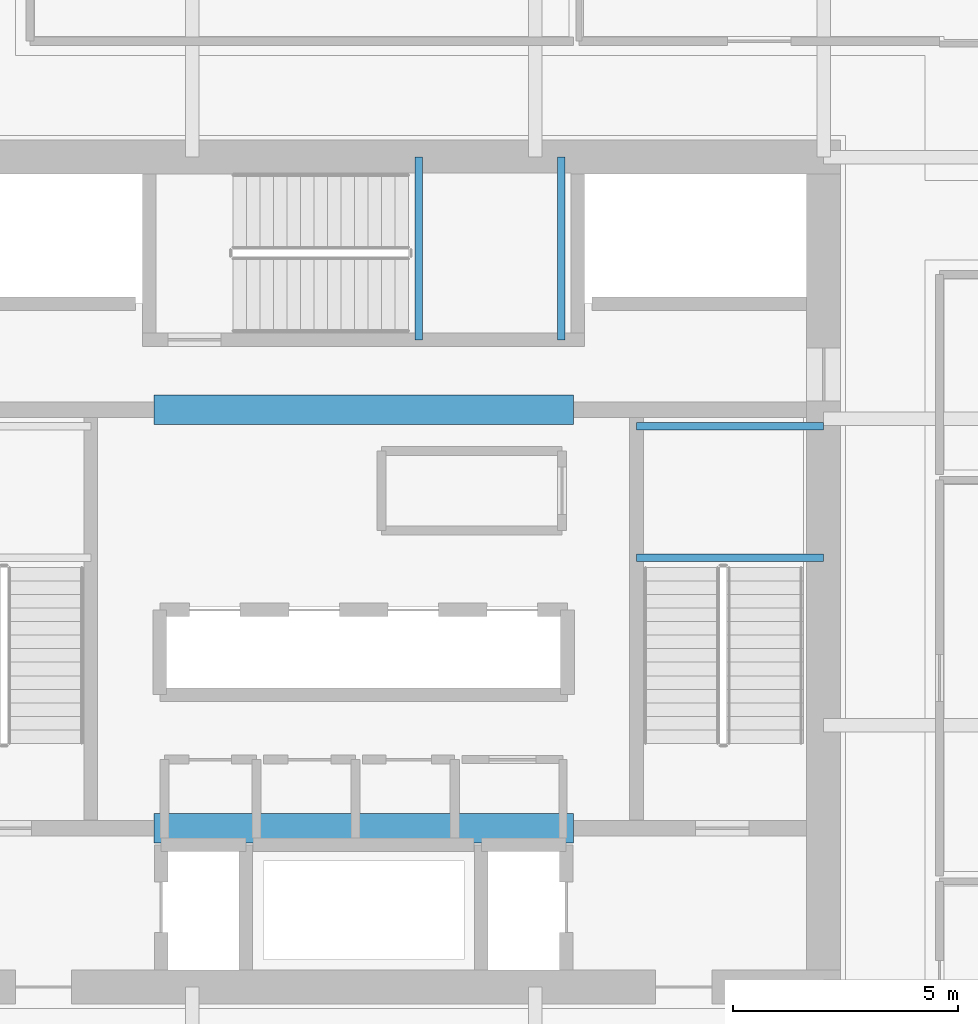
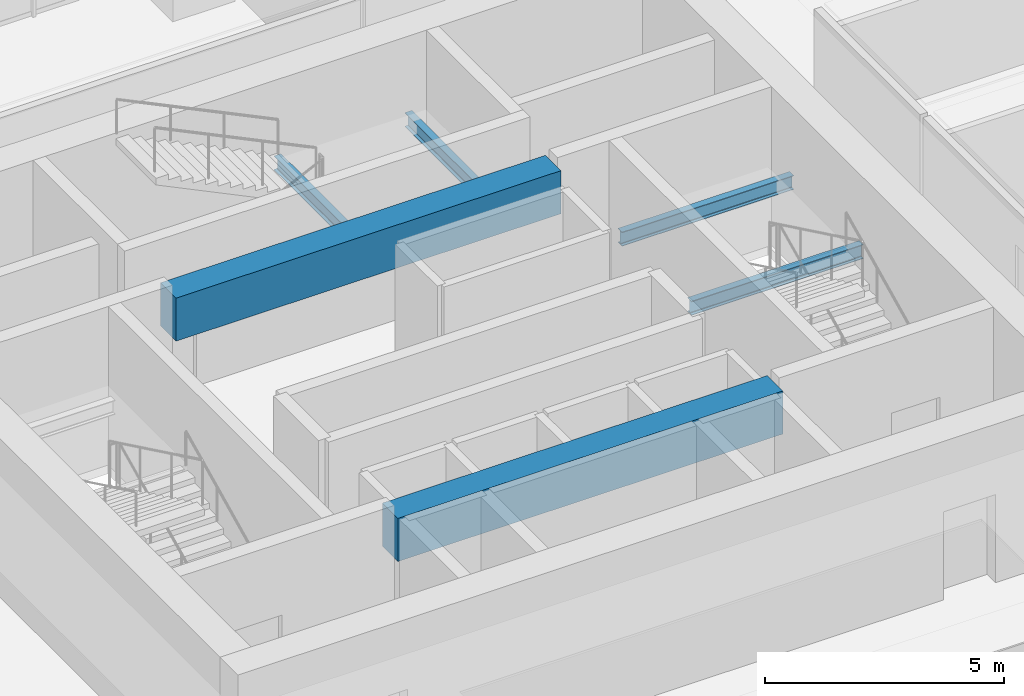
# One storey, part 11 of 35: 6 beams.
"""IFC4 building model written with IfcOpenShell, lengths in metres."""

from ifc_helpers import new_model, si_unit, direction, frame, origin, origin_2d, place, context, subcontext, project, spatial, rectangle, i_section, extrude, material, material_profile, profile_set, type_object, element, save


model = new_model("IFC4")

# Units and contexts
model_context = context("Model", 3, precision=1e-05, world=origin(), true_north=direction((0.0, 1.0)))
body_context = subcontext(model_context, "Body", "Model", "MODEL_VIEW")
ifc_project = project(units=[si_unit("LENGTHUNIT", "METRE"), si_unit("AREAUNIT", "SQUARE_METRE"), si_unit("VOLUMEUNIT", "CUBIC_METRE"), si_unit("PLANEANGLEUNIT", "RADIAN"), si_unit("MASSUNIT", "GRAM", prefix="KILO")], contexts=[model_context])

# Site, building, storey
site_placement = place(None, origin())
site = spatial("IfcSite", under=ifc_project, at=site_placement, CompositionType="ELEMENT")
building_placement = place(site_placement, origin())
building = spatial("IfcBuilding", under=site, at=building_placement, Name="Punatoya Terracotta Tower", CompositionType="ELEMENT")
storey_placement = place(building_placement, frame((0.0, 0.0, 64.64990234375)))
storey = spatial("IfcBuildingStorey", under=building, at=storey_placement, Name="L14", CompositionType="ELEMENT", Elevation=64.64990234375)

# Beams
ifc_material_1 = material(Name="Concrete C60/75", Category="concrete")
ifc_material_profile_1 = material_profile(ifc_material_1, rectangle(XDim=0.64990234375, YDim=1.10009765625, at=origin_2d()))
ifc_profile_set_1 = profile_set([ifc_material_profile_1], Name="Concrete C60/75")
beam_type_1 = type_object("IfcBeamType", Name="BM-RC-1100", PredefinedType="LINTEL", material=ifc_profile_set_1)
for number, where, z_axis, x_axis, name in (
    (1, (-4.64990234375, -5.679931640625, 3.260009765625), (1.0, 0.0, 0.0), (0.0, 1.0, 0.0), "L14 Core Coupling Lintel CSW"),
    (2, (-4.64990234375, 3.60009765625, 3.260009765625), (1.0, 0.0, 0.0), (0.0, 1.0, 0.0), "L14 Core Coupling Lintel CNW"),
):
    element("IfcBeam", number, at=place(storey_placement, frame(where, z_axis=z_axis, x_axis=x_axis)), inside=storey, type_object=beam_type_1, Name=name, PredefinedType="LINTEL", context=body_context, shape_type="SweptSolid", body=[
        extrude(rectangle(XDim=0.64990234375, YDim=1.10009765625, at=origin_2d()), origin(), (0.0, 0.0, 1.0), 9.2998046875),
    ])
ifc_material_2 = material(Name="Steel S355", Category="steel")
ifc_material_profile_2 = material_profile(ifc_material_2, i_section(OverallWidth=0.169921875, OverallDepth=0.360107421875, WebThickness=0.008056640625, FlangeThickness=0.0126953125, FilletRadius=0.01806640625, at=origin_2d()))
ifc_profile_set_2 = profile_set([ifc_material_profile_2], Name="Steel S355")
beam_type_2 = type_object("IfcBeamType", Name="BM-SEC-360", PredefinedType="JOIST", material=ifc_profile_set_2)
for number, where, z_axis, x_axis, name in (
    (3, (6.050048828125, 0.320068359375, 1.64501953125), (1.0, 0.0, 0.0), (0.0, 1.0, 0.0), "BM-L14-ST-2-LD1A"),
    (4, (6.050048828125, 3.22998046875, 1.64501953125), (1.0, 0.0, 0.0), (0.0, 1.0, 0.0), "BM-L14-ST-2-LD1B"),
):
    element("IfcBeam", number, at=place(storey_placement, frame(where, z_axis=z_axis, x_axis=x_axis)), inside=storey, type_object=beam_type_2, Name=name, PredefinedType="JOIST", context=body_context, shape_type="SweptSolid", body=[
        extrude(i_section(OverallWidth=0.169921875, OverallDepth=0.360107421875, WebThickness=0.008056640625, FlangeThickness=0.0126953125, FilletRadius=0.01806640625, at=origin_2d()), origin(), (0.0, 0.0, 1.0), 4.14990234375),
    ])
for number, where, z_axis, x_axis, name in (
    (5, (1.219970703125, 5.14990234375, 1.64501953125), (0.0, 1.0, 0.0), (-1.0, 0.0, 0.0), "BM-L14-ST-3-LD1A"),
    (6, (4.3798828125, 5.14990234375, 1.64501953125), (0.0, 1.0, 0.0), (-1.0, 0.0, 0.0), "BM-L14-ST-3-LD1B"),
):
    element("IfcBeam", number, at=place(storey_placement, frame(where, z_axis=z_axis, x_axis=x_axis)), inside=storey, type_object=beam_type_2, Name=name, PredefinedType="JOIST", context=body_context, shape_type="SweptSolid", body=[
        extrude(i_section(OverallWidth=0.169921875, OverallDepth=0.360107421875, WebThickness=0.008056640625, FlangeThickness=0.0126953125, FilletRadius=0.01806640625, at=origin_2d()), origin(), (0.0, 0.0, 1.0), 4.050048828125),
    ])

save(model, "model.ifc")
